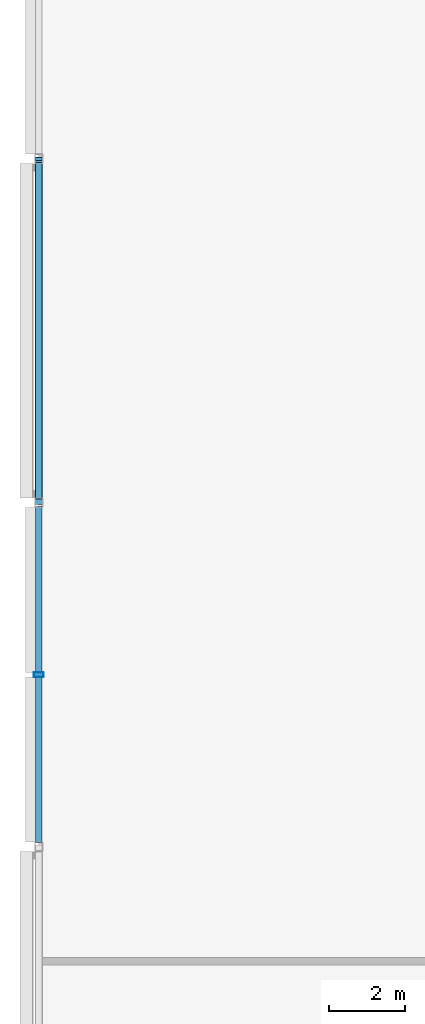
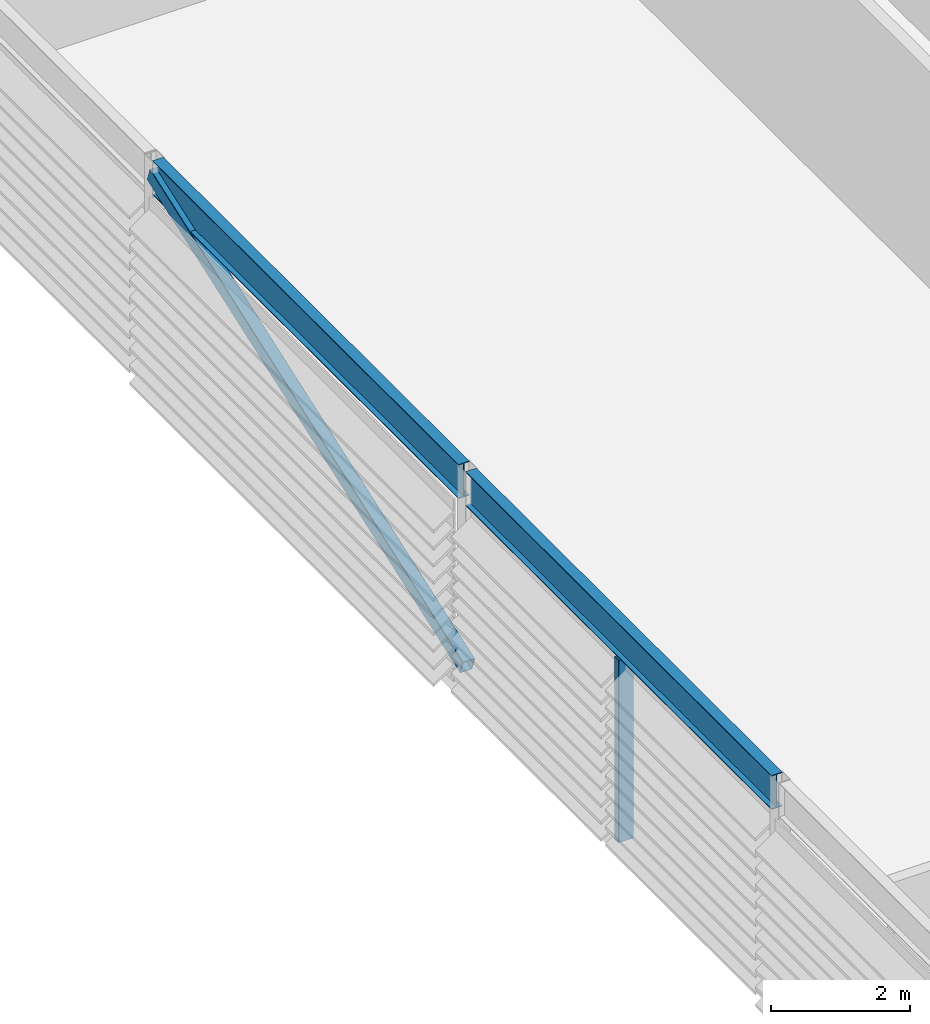
# One storey, part 7 of 28: 2 beams, 2 members.
"""IFC4 building model written with IfcOpenShell, lengths in metres."""

import ifcopenshell
import ifcopenshell.guid

model = None  # the IFC model being written
_history = None  # IfcOwnerHistory: only IFC2X3 demands one
_inside = {}  # id of a spatial element -> (the spatial element, [elements in it])
_under = {}  # id of a project, library or spatial element -> (it, [spatial elements below it])
_declared = {}  # id of a project -> (the project, [libraries it declares])
_typed = {}  # id of a type object -> (the type object, [elements of that type])
_made_of = {}  # id of a material, layer set ... -> (it, [elements and type objects made of it])


def new_model(schema):
    """Start an empty IFC model of exactly this schema.

    Asked for "IFC4X3", IfcOpenShell would pick the latest addendum, in which some entities
    have other attributes; the version numbers below select the first issue.
    IFC2X3 requires an IfcOwnerHistory on every rooted entity: one is made here for all.
    """
    global model, _history
    if schema == "IFC4X3":
        model = ifcopenshell.file(schema_version=(4, 3, 0, 0))
    else:
        model = ifcopenshell.file(schema=schema)
    _inside.clear()
    _under.clear()
    _declared.clear()
    _typed.clear()
    _made_of.clear()
    _history = None
    if model.schema == "IFC2X3":
        org = make("IfcOrganization", Name="unknown")
        user = make(
            "IfcPersonAndOrganization",
            ThePerson=make("IfcPerson", FamilyName="unknown"),
            TheOrganization=org,
        )
        app = make(
            "IfcApplication",
            ApplicationDeveloper=org,
            Version="unknown",
            ApplicationFullName="unknown",
            ApplicationIdentifier="unknown",
        )
        _history = make(
            "IfcOwnerHistory",
            OwningUser=user,
            OwningApplication=app,
            ChangeAction="ADDED",
            CreationDate=0,
        )
    return model


def make(cls, **values):
    """One entity of the class cls with the attributes given. An attribute that is None is left unset."""
    return model.create_entity(
        cls, **{name: value for name, value in values.items() if value is not None}
    )


def rooted(cls, **values):
    """An entity with a GlobalId (a new one), such as an element, a storey or a relation."""
    return make(cls, GlobalId=ifcopenshell.guid.new(), OwnerHistory=_history, **values)


def si_unit(unit_type, name, prefix=None):
    """IfcSIUnit, for example si_unit("LENGTHUNIT", "METRE", prefix="MILLI")."""
    return make("IfcSIUnit", UnitType=unit_type, Prefix=prefix, Name=name)


def assignment(units):
    """IfcUnitAssignment: the units of a project."""
    return None if units is None else make("IfcUnitAssignment", Units=units)


def point(xyz):
    """IfcCartesianPoint."""
    return None if xyz is None else make("IfcCartesianPoint", Coordinates=xyz)


def direction(xyz):
    """IfcDirection."""
    return None if xyz is None else make("IfcDirection", DirectionRatios=xyz)


def frame(location, z_axis=None, x_axis=None):
    """IfcAxis2Placement3D, a coordinate frame: its origin and axes. An axis left out is left unset."""
    return make(
        "IfcAxis2Placement3D",
        Location=point(location),
        Axis=direction(z_axis),
        RefDirection=direction(x_axis),
    )


def frame_2d(location, x_axis=None):
    """IfcAxis2Placement2D, a coordinate frame in the plane: its origin and x axis."""
    return make(
        "IfcAxis2Placement2D", Location=point(location), RefDirection=direction(x_axis)
    )


def origin():
    """The frame at (0, 0, 0) with its axes left unset."""
    return frame((0.0, 0.0, 0.0))


def origin_2d():
    """The frame at (0, 0) in the plane with its x axis left unset."""
    return frame_2d((0.0, 0.0))


def place(relative_to, where):
    """IfcLocalPlacement: puts the frame where relative to a parent placement (None: the world)."""
    return make(
        "IfcLocalPlacement", PlacementRelTo=relative_to, RelativePlacement=where
    )


def context(
    kind, dimensions, precision=None, world=None, true_north=None, identifier=None
):
    """IfcGeometricRepresentationContext, for example the 3D "Model" context."""
    return make(
        "IfcGeometricRepresentationContext",
        ContextIdentifier=identifier,
        ContextType=kind,
        CoordinateSpaceDimension=dimensions,
        Precision=precision,
        WorldCoordinateSystem=world,
        TrueNorth=true_north,
    )


def subcontext(parent, identifier, kind, view, scale=None):
    """IfcGeometricRepresentationSubContext, for example "Body" below "Model"."""
    return make(
        "IfcGeometricRepresentationSubContext",
        ContextIdentifier=identifier,
        ContextType=kind,
        ParentContext=parent,
        TargetScale=scale,
        TargetView=view,
    )


def project(units=None, contexts=None):
    """IfcProject with its units and contexts."""
    return rooted(
        "IfcProject",
        Name="project",
        RepresentationContexts=contexts,
        UnitsInContext=assignment(units),
    )


def spatial(cls, under=None, at=None, **own):
    """A site, building, storey or space (cls), placed at a placement, below another one or the project."""
    s = rooted(cls, ObjectPlacement=at, **own)
    if under is not None:
        _under.setdefault(under.id(), (under, []))[1].append(s)
    return s


def profile(cls, at=None, kind="AREA", **sizes):
    """A parametric profile (cls). Its sizes go by their IFC names, for example OverallWidth=200.0."""
    return make(cls, ProfileType=kind, Position=at, **sizes)


def hollow_rectangle(**sizes):
    """IfcRectangleHollowProfileDef."""
    return profile("IfcRectangleHollowProfileDef", **sizes)


def i_section(**sizes):
    """IfcIShapeProfileDef."""
    return profile("IfcIShapeProfileDef", **sizes)


def extrude(swept, where, along, depth):
    """IfcExtrudedAreaSolid: the profile swept, set in the frame where, extruded along a direction by depth."""
    return make(
        "IfcExtrudedAreaSolid",
        SweptArea=swept,
        Position=where,
        ExtrudedDirection=direction(along),
        Depth=depth,
    )


def shape(context_of_items, identifier, shape_type, items):
    """IfcShapeRepresentation: the items that make up one representation, for example the "Body"."""
    return make(
        "IfcShapeRepresentation",
        ContextOfItems=context_of_items,
        RepresentationIdentifier=identifier,
        RepresentationType=shape_type,
        Items=items,
    )


def material(Name=None, Category=None):
    """IfcMaterial."""
    return make("IfcMaterial", Name=Name, Category=Category)


def material_profile(
    of_material, cross_section, Name=None, Category=None, Priority=None
):
    """IfcMaterialProfile: a cross section and its material."""
    return make(
        "IfcMaterialProfile",
        Name=Name,
        Material=of_material,
        Profile=cross_section,
        Priority=Priority,
        Category=Category,
    )


def profile_set(profiles, Name=None, composite=None):
    """IfcMaterialProfileSet."""
    return make(
        "IfcMaterialProfileSet",
        Name=Name,
        MaterialProfiles=profiles,
        CompositeProfile=composite,
    )


def made_of(thing, what):
    """Note that an element or type object is made of a material, layer set ...; save() writes the relation."""
    if what is not None:
        _made_of.setdefault(what.id(), (what, []))[1].append(thing)
    return thing


def type_object(cls, material=None, **own):
    """A type object (cls), such as IfcWallType, which elements share."""
    return made_of(rooted(cls, **own), material)


def element(
    cls,
    number,
    at=None,
    inside=None,
    cuts=None,
    type_object=None,
    material=None,
    context=None,
    identifier="Body",
    shape_type=None,
    held_by="IfcProductDefinitionShape",
    body=None,
    shapes=None,
    **own,
):
    """One element of the class cls, such as IfcWall. Its Tag is "e" and its number.

    at: its placement. inside: the storey or other place that contains it. cuts: it is an
    opening in that element (IfcRelVoidsElement). A single representation is given by context,
    identifier, shape_type and body (its items); several are given by shapes. held_by: the class
    of the entity that holds the representations. save() writes the other relations.
    """
    e = rooted(cls, Tag="e%d" % number, ObjectPlacement=at, **own)
    if body is not None:
        shapes = [shape(context, identifier, shape_type, body)]
    if shapes is not None:
        e.Representation = make(held_by, Representations=shapes)
    if inside is not None:
        _inside.setdefault(inside.id(), (inside, []))[1].append(e)
    if cuts is not None:
        rooted(
            "IfcRelVoidsElement", RelatingBuildingElement=cuts, RelatedOpeningElement=e
        )
    if type_object is not None:
        _typed.setdefault(type_object.id(), (type_object, []))[1].append(e)
    return made_of(e, material)


def aggregate(whole, parts):
    """IfcRelAggregates: a whole, such as a stair, and the parts it consists of."""
    return rooted("IfcRelAggregates", RelatingObject=whole, RelatedObjects=parts)


def save(model, path):
    """Write the relations noted so far, then the file.

    IfcRelAggregates (storeys below a building ...), IfcRelContainedInSpatialStructure (elements
    in a storey), IfcRelDefinesByType, IfcRelAssociatesMaterial and IfcRelDeclares: one each for
    every whole, place, type object, material and project.
    """
    for whole, parts in _under.values():
        aggregate(whole, parts)
    for where, things in _inside.values():
        rooted(
            "IfcRelContainedInSpatialStructure",
            RelatedElements=things,
            RelatingStructure=where,
        )
    for kind, things in _typed.values():
        rooted("IfcRelDefinesByType", RelatedObjects=things, RelatingType=kind)
    for what, things in _made_of.values():
        rooted("IfcRelAssociatesMaterial", RelatedObjects=things, RelatingMaterial=what)
    for by, libraries in _declared.values():
        rooted("IfcRelDeclares", RelatingContext=by, RelatedDefinitions=libraries)
    model.write(path)


model = new_model("IFC4")

# Units and contexts
model_context = context("Model", 3, precision=1e-05, world=origin(), true_north=direction((0.0, 1.0)))
body_context = subcontext(model_context, "Body", "Model", "MODEL_VIEW")
ifc_project = project(units=[si_unit("LENGTHUNIT", "METRE"), si_unit("AREAUNIT", "SQUARE_METRE"), si_unit("VOLUMEUNIT", "CUBIC_METRE"), si_unit("PLANEANGLEUNIT", "RADIAN"), si_unit("MASSUNIT", "GRAM", prefix="KILO")], contexts=[model_context])

# Site, building, storey
site_placement = place(None, origin())
site = spatial("IfcSite", under=ifc_project, at=site_placement, CompositionType="ELEMENT")
building_placement = place(site_placement, origin())
building = spatial("IfcBuilding", under=site, at=building_placement, Name="Madar Terraces", CompositionType="ELEMENT")
storey_placement = place(building_placement, frame((0.0, 0.0, 310.10009765625)))
storey = spatial("IfcBuildingStorey", under=building, at=storey_placement, Name="L80", CompositionType="ELEMENT", Elevation=310.10009765625)

# Beams
ifc_material_1 = material(Name="Steel ASTM A992 Grade 50", Category="steel")
ifc_material_profile_1 = material_profile(ifc_material_1, i_section(OverallWidth=0.1787109375, OverallDepth=0.60205078125, WebThickness=0.010986328125, FlangeThickness=0.014892578125, at=origin_2d()), Name="W24x62")
ifc_profile_set_1 = profile_set([ifc_material_profile_1], Name="Steel ASTM A992 Grade 50")
beam_type = type_object("IfcBeamType", Name="CF2 W24x62", PredefinedType="BEAM", material=ifc_profile_set_1)
for number, where, z_axis, x_axis, name in (
    (1, (1.199951171875, 32.8984375, 3.4990234375), (0.0, -1.0, 0.0), (1.0, 0.0, 0.0), "Crown frame ring beam CF2"),
    (2, (1.199951171875, 23.8984375, 3.4990234375), (0.0, -1.0, 0.0), (1.0, 0.0, 0.0), "Crown frame ring beam CF2"),
):
    element("IfcBeam", number, at=place(storey_placement, frame(where, z_axis=z_axis, x_axis=x_axis)), inside=storey, type_object=beam_type, Name=name, PredefinedType="BEAM", context=body_context, shape_type="SweptSolid", body=[
        extrude(i_section(OverallWidth=0.1787109375, OverallDepth=0.60205078125, WebThickness=0.010986328125, FlangeThickness=0.014892578125, at=origin_2d()), origin(), (0.0, 0.0, 1.0), 8.796875),
    ])

# Members
ifc_material_2 = material(Name="Steel ASTM A500 Grade C", Category="steel")
ifc_material_profile_2 = material_profile(ifc_material_2, hollow_rectangle(XDim=0.203125, YDim=0.25390625, WallThickness=0.009521484375, InnerFilletRadius=0.00439453125, OuterFilletRadius=0.01318359375, at=origin_2d()), Name="HSS10x8x.375")
ifc_profile_set_2 = profile_set([ifc_material_profile_2], Name="Steel ASTM A500 Grade C")
member_type_1 = type_object("IfcMemberType", Name="CF5 crown frame brace HSS10x8x.375", PredefinedType="BRACE", material=ifc_profile_set_2)
member_1_placement = place(storey_placement, frame((1.199951171875, 33.0, 3.4990234375), z_axis=(0.0, -0.942240505119, -0.334937054554), x_axis=(1.0, 0.0, 0.0)))
element("IfcMember", 3, at=member_1_placement, inside=storey, type_object=member_type_1, Name="Crown frame brace CF5", PredefinedType="BRACE", context=body_context, shape_type="SweptSolid", body=[
    extrude(hollow_rectangle(XDim=0.203125, YDim=0.25390625, WallThickness=0.009521484375, InnerFilletRadius=0.00439453125, OuterFilletRadius=0.01318359375, at=origin_2d()), origin(), (0.0, 0.0, 1.0), 9.5517578125),
])
ifc_material_3 = material(Name="Steel ASTM A500 Grade C", Category="steel")
ifc_material_profile_3 = material_profile(ifc_material_3, hollow_rectangle(XDim=0.126953125, YDim=0.25390625, WallThickness=0.00634765625, InnerFilletRadius=0.0029296875, OuterFilletRadius=0.0087890625, at=origin_2d()), Name="HSS10x5x.25")
ifc_profile_set_3 = profile_set([ifc_material_profile_3], Name="Steel ASTM A500 Grade C")
member_type_2 = type_object("IfcMemberType", Name="LS2 HSS10x5x.25", PredefinedType="POST", material=ifc_profile_set_3)
member_2_placement = place(storey_placement, frame((1.199951171875, 19.5, 0.0), z_axis=(0.0, 0.0, 1.0), x_axis=(0.0, -1.0, 0.0)))
element("IfcMember", 4, at=member_2_placement, inside=storey, type_object=member_type_2, Name="Crown louvre post LS2", PredefinedType="POST", context=body_context, shape_type="SweptSolid", body=[
    extrude(hollow_rectangle(XDim=0.126953125, YDim=0.25390625, WallThickness=0.00634765625, InnerFilletRadius=0.0029296875, OuterFilletRadius=0.0087890625, at=origin_2d()), origin(), (0.0, 0.0, 1.0), 3.197998046875),
])

save(model, "model.ifc")
